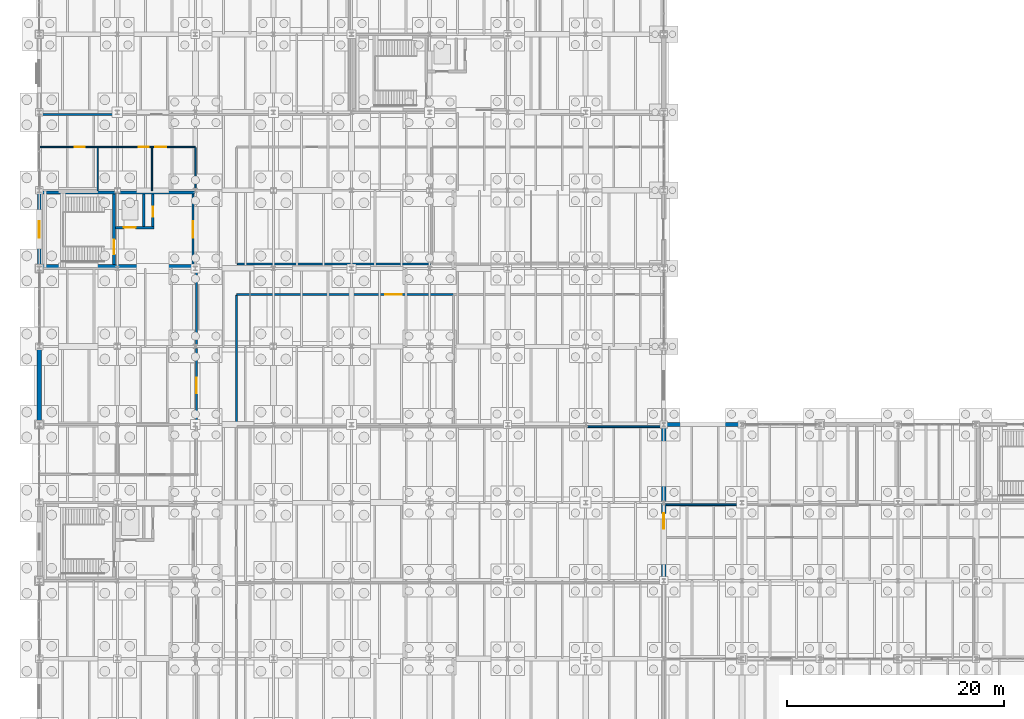
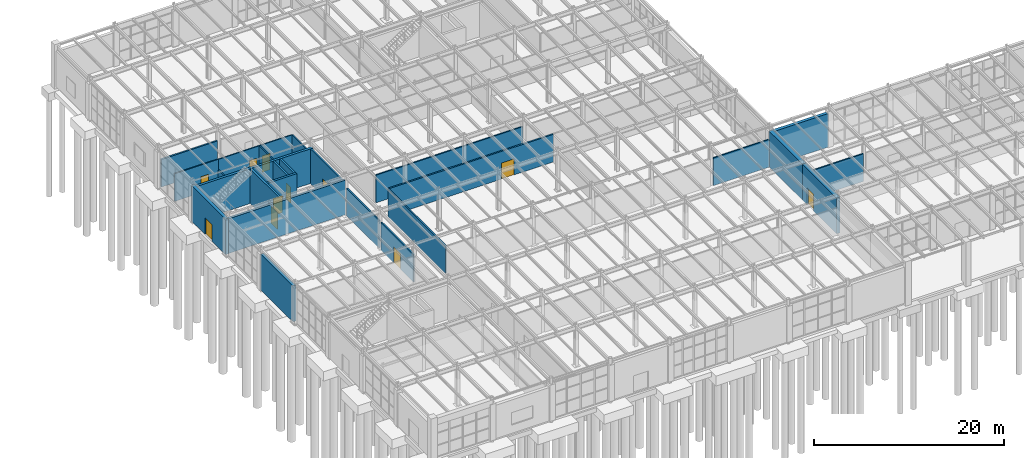
# One storey, part 263 of 293: 26 walls, 11 doors, 11 openings.
"""IFC4 building model written with IfcOpenShell, lengths in metres."""

from ifc_helpers import new_model, si_unit, direction, frame, frame_2d, origin, place, context, subcontext, project, spatial, rectangle, extrude, material, layer, layer_set, type_object, element, fill, save


model = new_model("IFC4")

# Units and contexts
model_context = context("Model", 3, precision=1e-05, world=origin(), true_north=direction((0.0, 1.0)))
body_context = subcontext(model_context, "Body", "Model", "MODEL_VIEW")
ifc_project = project(units=[si_unit("LENGTHUNIT", "METRE"), si_unit("AREAUNIT", "SQUARE_METRE"), si_unit("VOLUMEUNIT", "CUBIC_METRE"), si_unit("PLANEANGLEUNIT", "RADIAN"), si_unit("MASSUNIT", "GRAM", prefix="KILO")], contexts=[model_context])

# Site, building, storey
site_placement = place(None, origin())
site = spatial("IfcSite", under=ifc_project, at=site_placement, CompositionType="ELEMENT")
building_placement = place(site_placement, origin())
building = spatial("IfcBuilding", under=site, at=building_placement, Name="Kemerveld Promenade Tramway Depot", CompositionType="ELEMENT")
storey_placement = place(building_placement, origin())
storey = spatial("IfcBuildingStorey", under=building, at=storey_placement, Name="L00", CompositionType="ELEMENT", Elevation=0.0)

# Wall, opening, door
ifc_material_1 = material(Name="Concrete C40/50", Category="concrete")
ifc_layer_1 = layer(ifc_material_1, 0.25)
ifc_layer_set_1 = layer_set([ifc_layer_1], Name="WL-CORE-250")
wall_type_1 = type_object("IfcWallType", Name="WL-CORE-250", PredefinedType="SHEAR", material=ifc_layer_set_1)
wall_1_placement = place(storey_placement, frame((6.89990234375, 43.550048828125, 0.0), z_axis=(0.0, 0.0, 1.0), x_axis=(0.0, 1.0, 0.0)))
wall_1 = element("IfcWall", 1, at=wall_1_placement, inside=storey, type_object=wall_type_1, Name="WL-C2-L00-SDIV", PredefinedType="SHEAR", context=body_context, shape_type="SweptSolid", body=[
    extrude(rectangle(XDim=6.5, YDim=0.25, at=frame_2d((3.25, 0.0))), origin(), (0.0, 0.0, 1.0), 4.449951171875),
])
opening_1_placement = place(wall_1_placement, frame((0.949951171875, 0.0, 0.0)))
opening_1 = element("IfcOpeningElement", 2, at=opening_1_placement, cuts=wall_1, Name="Opening D-521", PredefinedType="OPENING", context=body_context, shape_type="SweptSolid", body=[
    extrude(rectangle(XDim=1.35009765625, YDim=2.14990234375, at=frame_2d((0.675048828125, 1.074951171875))), frame((0.0, 0.135009765625, 0.0), z_axis=(0.0, -1.0, 0.0), x_axis=(1.0, 0.0, 0.0)), (0.0, 0.0, 1.0), 0.27001953125),
])
ifc_material_2 = material(Name="Galvanised steel fire stair door", Category="steel")
door_type_1 = type_object("IfcDoorType", Name="DR-FD120", OperationType="NOTDEFINED", PredefinedType="DOOR", material=ifc_material_2)
door_1_placement = place(opening_1_placement, origin())
door_1 = element("IfcDoor", 3, at=door_1_placement, inside=storey, type_object=door_type_1, Name="DR-C2-L00-STAIR", OperationType="SINGLE_SWING_LEFT", OverallHeight=2.14990234375, OverallWidth=1.35009765625, PredefinedType="DOOR", context=body_context, shape_type="SweptSolid", body=[
    extrude(rectangle(XDim=1.35009765625, YDim=2.14990234375, at=frame_2d((0.675048828125, 1.074951171875))), frame((0.0, 0.02490234375, 0.0), z_axis=(0.0, -1.0, 0.0), x_axis=(1.0, 0.0, 0.0)), (0.0, 0.0, 1.0), 0.050048828125),
])
fill(opening_1, door_1)

wall_2_placement = place(storey_placement, frame((7.02490234375, 46.9599609375, 0.0), z_axis=(0.0, 0.0, 1.0), x_axis=(1.0, 0.0, 0.0)))
wall_2 = element("IfcWall", 4, at=wall_2_placement, inside=storey, type_object=wall_type_1, Name="WL-C2-L00-LSHS", PredefinedType="SHEAR", context=body_context, shape_type="SweptSolid", body=[
    extrude(rectangle(XDim=3.580078125, YDim=0.25, at=frame_2d((1.7900390625, 0.0))), origin(), (0.0, 0.0, 1.0), 4.449951171875),
])
opening_2_placement = place(wall_2_placement, frame((0.77490234375, 0.0, 0.0)))
opening_2 = element("IfcOpeningElement", 5, at=opening_2_placement, cuts=wall_2, Name="Opening LD-522", PredefinedType="OPENING", context=body_context, shape_type="SweptSolid", body=[
    extrude(rectangle(XDim=1.10009765625, YDim=2.14990234375, at=frame_2d((0.550048828125, 1.074951171875))), frame((0.0, 0.135009765625, 0.0), z_axis=(0.0, -1.0, 0.0), x_axis=(1.0, 0.0, 0.0)), (0.0, 0.0, 1.0), 0.27001953125),
])
ifc_material_3 = material(Name="Brushed stainless steel sliding lift landing door", Category="steel")
door_type_2 = type_object("IfcDoorType", Name="DR-LD01", OperationType="SLIDING_TO_LEFT", PredefinedType="DOOR", material=ifc_material_3)
door_2_placement = place(opening_2_placement, origin())
door_2 = element("IfcDoor", 6, at=door_2_placement, inside=storey, type_object=door_type_2, Name="DR-C2-L00-LIFT", OperationType="SLIDING_TO_LEFT", OverallHeight=2.14990234375, OverallWidth=1.10009765625, PredefinedType="DOOR", context=body_context, shape_type="SweptSolid", body=[
    extrude(rectangle(XDim=1.10009765625, YDim=2.14990234375, at=frame_2d((0.550048828125, 1.074951171875))), frame((0.0, 0.02490234375, 0.0), z_axis=(0.0, -1.0, 0.0), x_axis=(1.0, 0.0, 0.0)), (0.0, 0.0, 1.0), 0.050048828125),
])
fill(opening_2, door_2)

# Wall
wall_3_placement = place(storey_placement, frame((9.64990234375, 47.0849609375, 0.0), z_axis=(0.0, 0.0, 1.0), x_axis=(0.0, 1.0, 0.0)))
element("IfcWall", 7, at=wall_3_placement, inside=storey, type_object=wall_type_1, Name="WL-C2-L00-LSHM", PredefinedType="SHEAR", context=body_context, shape_type="SweptSolid", body=[
    extrude(rectangle(XDim=2.965087890625, YDim=0.25, at=frame_2d((1.482421875, 0.0))), origin(), (0.0, 0.0, 1.0), 4.449951171875),
])

# Wall, opening, door
wall_4_placement = place(storey_placement, frame((10.47998046875, 47.0849609375, 0.0), z_axis=(0.0, 0.0, 1.0), x_axis=(0.0, 1.0, 0.0)))
wall_4 = element("IfcWall", 8, at=wall_4_placement, inside=storey, type_object=wall_type_1, Name="WL-C2-L00-LSHE", PredefinedType="SHEAR", context=body_context, shape_type="SweptSolid", body=[
    extrude(rectangle(XDim=2.965087890625, YDim=0.25, at=frame_2d((1.482421875, 0.0))), origin(), (0.0, 0.0, 1.0), 4.449951171875),
])
opening_3_placement = place(wall_4_placement, frame((0.89990234375, 0.0, 0.0)))
opening_3 = element("IfcOpeningElement", 9, at=opening_3_placement, cuts=wall_4, Name="Opening D-523", PredefinedType="OPENING", context=body_context, shape_type="SweptSolid", body=[
    extrude(rectangle(XDim=0.919921875, YDim=2.050048828125, at=frame_2d((0.4599609375, 1.02490234375))), frame((0.0, 0.135009765625, 0.0), z_axis=(0.0, -1.0, 0.0), x_axis=(1.0, 0.0, 0.0)), (0.0, 0.0, 1.0), 0.27001953125),
])
ifc_material_4 = material(Name="Steel riser shaft access fire door", Category="steel")
door_type_3 = type_object("IfcDoorType", Name="DR-RSR01", OperationType="NOTDEFINED", PredefinedType="DOOR", material=ifc_material_4)
door_3_placement = place(opening_3_placement, origin())
door_3 = element("IfcDoor", 10, at=door_3_placement, inside=storey, type_object=door_type_3, Name="DR-C2-L00-RISER", OperationType="SINGLE_SWING_RIGHT", OverallHeight=2.050048828125, OverallWidth=0.919921875, PredefinedType="DOOR", context=body_context, shape_type="SweptSolid", body=[
    extrude(rectangle(XDim=0.919921875, YDim=2.050048828125, at=frame_2d((0.4599609375, 1.02490234375))), frame((0.0, 0.02490234375, 0.0), z_axis=(0.0, -1.0, 0.0), x_axis=(1.0, 0.0, 0.0)), (0.0, 0.0, 1.0), 0.050048828125),
])
fill(opening_3, door_3)

# Walls
ifc_layer_2 = layer(ifc_material_1, 0.300048828125)
ifc_layer_set_2 = layer_set([ifc_layer_2], Name="WL-CORE-300")
wall_type_2 = type_object("IfcWallType", Name="WL-CORE-300", PredefinedType="SHEAR", material=ifc_layer_set_2)
for number, where, z_axis, x_axis, name in (
    (11, (0.169921875, 43.39990234375, 0.0), (0.0, 0.0, 1.0), (1.0, 0.0, 0.0), "WL-C2-L00-S"),
    (12, (0.169921875, 50.199951171875, 0.0), (0.0, 0.0, 1.0), (1.0, 0.0, 0.0), "WL-C2-L00-N"),
):
    element("IfcWall", number, at=place(storey_placement, frame(where, z_axis=z_axis, x_axis=x_axis)), inside=storey, type_object=wall_type_2, Name=name, PredefinedType="SHEAR", context=body_context, shape_type="SweptSolid", body=[
        extrude(rectangle(XDim=14.22998046875, YDim=0.300048828125, at=frame_2d((7.114990234375, 0.0))), origin(), (0.0, 0.0, 1.0), 4.449951171875),
    ])
ifc_material_5 = material(Name="Harare granite ashlar and clay brick cavity masonry", Category="masonry")
ifc_layer_3 = layer(ifc_material_5, 0.3798828125)
ifc_layer_set_3 = layer_set([ifc_layer_3], Name="WL-EXT-380")
wall_type_3 = type_object("IfcWallType", Name="WL-EXT-380", PredefinedType="SOLIDWALL", material=ifc_layer_set_3)
wall_5_placement = place(storey_placement, frame((0.0, 29.00634765625, 0.0), z_axis=(0.0, 0.0, 1.0), x_axis=(0.0, 1.0, 0.0)))
element("IfcWall", 13, at=wall_5_placement, inside=storey, type_object=wall_type_3, Name="WL-L00-V5W-05", PredefinedType="SOLIDWALL", context=body_context, shape_type="SweptSolid", body=[
    extrude(rectangle(XDim=6.787353515625, YDim=0.3798828125, at=frame_2d((3.3935546875, 0.0))), origin(), (0.0, 0.0, 1.0), 4.593505859375),
])
wall_6_placement = place(storey_placement, frame((57.79638671875, 28.800048828125, 0.0), z_axis=(0.0, 0.0, 1.0), x_axis=(1.0, 0.0, 0.0)))
element("IfcWall", 14, at=wall_6_placement, inside=storey, type_object=wall_type_3, Name="WL-L00-V4N-01", PredefinedType="SOLIDWALL", context=body_context, shape_type="SweptSolid", body=[
    extrude(rectangle(XDim=6.807373046875, YDim=0.3798828125, at=frame_2d((3.40380859375, 0.0))), origin(), (0.0, 0.0, 1.0), 4.30419921875),
])

# Wall, opening, door
ifc_layer_4 = layer(ifc_material_1, 0.360107421875)
ifc_layer_set_4 = layer_set([ifc_layer_4], Name="WL-EXT-CORE")
wall_type_4 = type_object("IfcWallType", Name="WL-EXT-CORE", PredefinedType="SHEAR", material=ifc_layer_set_4)
wall_7_placement = place(storey_placement, frame((0.0, 43.199951171875, 0.0), z_axis=(0.0, 0.0, 1.0), x_axis=(0.0, 1.0, 0.0)))
wall_7 = element("IfcWall", 15, at=wall_7_placement, inside=storey, type_object=wall_type_4, Name="WL-L00-V5W-07", PredefinedType="SHEAR", context=body_context, shape_type="SweptSolid", body=[
    extrude(rectangle(XDim=7.199951171875, YDim=0.360107421875, at=frame_2d((3.60009765625, 0.0))), origin(), (0.0, 0.0, 1.0), 4.593505859375),
])
opening_4_placement = place(wall_7_placement, frame((2.85009765625, 0.0, 0.0)))
opening_4 = element("IfcOpeningElement", 16, at=opening_4_placement, cuts=wall_7, Name="Opening D-124", PredefinedType="OPENING", context=body_context, shape_type="SweptSolid", body=[
    extrude(rectangle(XDim=1.5, YDim=2.14990234375, at=frame_2d((0.75, 1.074951171875))), frame((0.0, 0.18994140625, 0.0), z_axis=(0.0, -1.0, 0.0), x_axis=(1.0, 0.0, 0.0)), (0.0, 0.0, 1.0), 0.380126953125),
])
ifc_material_6 = material(Name="Galvanised painted steel fire-exit door", Category="steel")
door_type_4 = type_object("IfcDoorType", Name="DR-EX04", OperationType="NOTDEFINED", PredefinedType="DOOR", material=ifc_material_6)
door_4_placement = place(opening_4_placement, origin())
door_4 = element("IfcDoor", 17, at=door_4_placement, inside=storey, type_object=door_type_4, Name="EX-02", OperationType="SINGLE_SWING_RIGHT", OverallHeight=2.14990234375, OverallWidth=1.5, PredefinedType="DOOR", context=body_context, shape_type="SweptSolid", body=[
    extrude(rectangle(XDim=1.5, YDim=2.14990234375, at=frame_2d((0.75, 1.074951171875))), frame((0.0, 0.02490234375, 0.0), z_axis=(0.0, -1.0, 0.0), x_axis=(1.0, 0.0, 0.0)), (0.0, 0.0, 1.0), 0.050048828125),
])
fill(opening_4, door_4)

ifc_layer_5 = layer(ifc_material_1, 0.449951171875)
ifc_layer_set_5 = layer_set([ifc_layer_5], Name="WL-FIRE-450")
wall_type_5 = type_object("IfcWallType", Name="WL-FIRE-450", PredefinedType="SOLIDWALL", material=ifc_layer_set_5)
wall_8_placement = place(storey_placement, frame((57.60009765625, 14.39990234375, 0.0), z_axis=(0.0, 0.0, 1.0), x_axis=(0.0, 1.0, 0.0)))
wall_8 = element("IfcWall", 18, at=wall_8_placement, inside=storey, type_object=wall_type_5, Name="WL-FIRE-L00-F54-3", PredefinedType="SOLIDWALL", context=body_context, shape_type="SweptSolid", body=[
    extrude(rectangle(XDim=7.2001953125, YDim=0.449951171875, at=frame_2d((3.60009765625, 0.0))), origin(), (0.0, 0.0, 1.0), 4.593505859375),
])
opening_5_placement = place(wall_8_placement, frame((4.800048828125, 0.0, 0.0)))
opening_5 = element("IfcOpeningElement", 19, at=opening_5_placement, cuts=wall_8, Name="Opening D-585", PredefinedType="OPENING", context=body_context, shape_type="SweptSolid", body=[
    extrude(rectangle(XDim=1.39990234375, YDim=2.14990234375, at=frame_2d((0.699951171875, 1.074951171875))), frame((0.0, 0.23486328125, 0.0), z_axis=(0.0, -1.0, 0.0), x_axis=(1.0, 0.0, 0.0)), (0.0, 0.0, 1.0), 0.469970703125),
])
ifc_material_7 = material(Name="Timber-faced fire corridor door", Category="wood")
door_type_5 = type_object("IfcDoorType", Name="DR-FD60B", OperationType="NOTDEFINED", PredefinedType="DOOR", material=ifc_material_7)
door_5_placement = place(opening_5_placement, origin())
door_5 = element("IfcDoor", 20, at=door_5_placement, inside=storey, type_object=door_type_5, Name="DR-LINK-L00-F54", OperationType="SINGLE_SWING_LEFT", OverallHeight=2.14990234375, OverallWidth=1.39990234375, PredefinedType="DOOR", context=body_context, shape_type="SweptSolid", body=[
    extrude(rectangle(XDim=1.39990234375, YDim=2.14990234375, at=frame_2d((0.699951171875, 1.074951171875))), frame((0.0, 0.02490234375, 0.0), z_axis=(0.0, -1.0, 0.0), x_axis=(1.0, 0.0, 0.0)), (0.0, 0.0, 1.0), 0.050048828125),
])
fill(opening_5, door_5)

# Wall
wall_9_placement = place(storey_placement, frame((57.60009765625, 21.60009765625, 0.0), z_axis=(0.0, 0.0, 1.0), x_axis=(0.0, 1.0, 0.0)))
element("IfcWall", 21, at=wall_9_placement, inside=storey, type_object=wall_type_5, Name="WL-FIRE-L00-F54-4", PredefinedType="SOLIDWALL", context=body_context, shape_type="SweptSolid", body=[
    extrude(rectangle(XDim=7.040771484375, YDim=0.449951171875, at=frame_2d((3.5205078125, 0.0))), origin(), (0.0, 0.0, 1.0), 4.593505859375),
])

# Wall, opening, door
ifc_material_8 = material(Name="Concrete blockwork C35/45", Category="masonry")
ifc_layer_6 = layer(ifc_material_8, 0.199951171875)
ifc_layer_set_6 = layer_set([ifc_layer_6], Name="WL-LOB-200")
wall_type_6 = type_object("IfcWallType", Name="WL-LOB-200", PredefinedType="SOLIDWALL", material=ifc_layer_set_6)
wall_10_placement = place(storey_placement, frame((14.179931640625, 43.550048828125, 0.0), z_axis=(0.0, 0.0, 1.0), x_axis=(0.0, 1.0, 0.0)))
wall_10 = element("IfcWall", 22, at=wall_10_placement, inside=storey, type_object=wall_type_6, Name="WL-C2-L00-LOB", PredefinedType="SOLIDWALL", context=body_context, shape_type="SweptSolid", body=[
    extrude(rectangle(XDim=6.5, YDim=0.199951171875, at=frame_2d((3.25, 0.0))), origin(), (0.0, 0.0, 1.0), 4.449951171875),
])
opening_6_placement = place(wall_10_placement, frame((2.5, 0.0, 0.0)))
opening_6 = element("IfcOpeningElement", 23, at=opening_6_placement, cuts=wall_10, Name="Opening D-524", PredefinedType="OPENING", context=body_context, shape_type="SweptSolid", body=[
    extrude(rectangle(XDim=1.5, YDim=2.14990234375, at=frame_2d((0.75, 1.074951171875))), frame((0.0, 0.10986328125, 0.0), z_axis=(0.0, -1.0, 0.0), x_axis=(1.0, 0.0, 0.0)), (0.0, 0.0, 1.0), 0.219970703125),
])
ifc_material_9 = material(Name="Timber-faced acoustic fire lobby door", Category="wood")
door_type_6 = type_object("IfcDoorType", Name="DR-FD60A", OperationType="NOTDEFINED", PredefinedType="DOOR", material=ifc_material_9)
door_6_placement = place(opening_6_placement, origin())
door_6 = element("IfcDoor", 24, at=door_6_placement, inside=storey, type_object=door_type_6, Name="DR-C2-L00-LOBBY", OperationType="SINGLE_SWING_LEFT", OverallHeight=2.14990234375, OverallWidth=1.5, PredefinedType="DOOR", context=body_context, shape_type="SweptSolid", body=[
    extrude(rectangle(XDim=1.5, YDim=2.14990234375, at=frame_2d((0.75, 1.074951171875))), frame((0.0, 0.02490234375, 0.0), z_axis=(0.0, -1.0, 0.0), x_axis=(1.0, 0.0, 0.0)), (0.0, 0.0, 1.0), 0.050048828125),
])
fill(opening_6, door_6)

ifc_material_10 = material(Name="Moisture-resistant masonry partition", Category="masonry")
ifc_layer_7 = layer(ifc_material_10, 0.1298828125)
ifc_layer_set_7 = layer_set([ifc_layer_7], Name="WL-PRT-130")
wall_type_7 = type_object("IfcWallType", Name="WL-PRT-130", PredefinedType="PARTITIONING", material=ifc_layer_set_7)
wall_11_placement = place(storey_placement, frame((0.080078125, 54.39990234375, 0.0), z_axis=(0.0, 0.0, 1.0), x_axis=(1.0, 0.0, 0.0)))
wall_11 = element("IfcWall", 25, at=wall_11_placement, inside=storey, type_object=wall_type_7, Name="WL-PRT-RM-L00-V5-WCM", PredefinedType="PARTITIONING", context=body_context, shape_type="SweptSolid", body=[
    extrude(rectangle(XDim=5.31982421875, YDim=0.1298828125, at=frame_2d((2.659912109375, 0.0))), origin(), (0.0, 0.0, 1.0), 3.550048828125),
])
opening_7_placement = place(wall_11_placement, frame((3.2099609375, 0.0, 0.0)))
opening_7 = element("IfcOpeningElement", 26, at=opening_7_placement, cuts=wall_11, Name="Opening D-619", PredefinedType="OPENING", context=body_context, shape_type="SweptSolid", body=[
    extrude(rectangle(XDim=0.89990234375, YDim=2.050048828125, at=frame_2d((0.449951171875, 1.02490234375))), frame((0.0, 0.074951171875, 0.0), z_axis=(0.0, -1.0, 0.0), x_axis=(1.0, 0.0, 0.0)), (0.0, 0.0, 1.0), 0.14990234375),
])
ifc_material_11 = material(Name="Moisture-resistant laminate WC door")
door_type_7 = type_object("IfcDoorType", Name="DR-WC01", OperationType="NOTDEFINED", PredefinedType="DOOR", material=ifc_material_11)
door_7_placement = place(opening_7_placement, origin())
door_7 = element("IfcDoor", 27, at=door_7_placement, inside=storey, type_object=door_type_7, Name="DR-RM-RM-L00-V5-WCM", OperationType="SINGLE_SWING_LEFT", OverallHeight=2.050048828125, OverallWidth=0.89990234375, PredefinedType="DOOR", context=body_context, shape_type="SweptSolid", body=[
    extrude(rectangle(XDim=0.89990234375, YDim=2.050048828125, at=frame_2d((0.449951171875, 1.02490234375))), frame((0.0, 0.02490234375, 0.0), z_axis=(0.0, -1.0, 0.0), x_axis=(1.0, 0.0, 0.0)), (0.0, 0.0, 1.0), 0.050048828125),
])
fill(opening_7, door_7)

wall_12_placement = place(storey_placement, frame((5.39990234375, 54.39990234375, 0.0), z_axis=(0.0, 0.0, 1.0), x_axis=(1.0, 0.0, 0.0)))
wall_12 = element("IfcWall", 28, at=wall_12_placement, inside=storey, type_object=wall_type_7, Name="WL-PRT-RM-L00-V5-WCF", PredefinedType="PARTITIONING", context=body_context, shape_type="SweptSolid", body=[
    extrude(rectangle(XDim=5.0, YDim=0.1298828125, at=frame_2d((2.5, 0.0))), origin(), (0.0, 0.0, 1.0), 3.550048828125),
])
opening_8_placement = place(wall_12_placement, frame((3.780029296875, 0.0, 0.0)))
opening_8 = element("IfcOpeningElement", 29, at=opening_8_placement, cuts=wall_12, Name="Opening D-620", PredefinedType="OPENING", context=body_context, shape_type="SweptSolid", body=[
    extrude(rectangle(XDim=0.89990234375, YDim=2.050048828125, at=frame_2d((0.449951171875, 1.02490234375))), frame((0.0, 0.074951171875, 0.0), z_axis=(0.0, -1.0, 0.0), x_axis=(1.0, 0.0, 0.0)), (0.0, 0.0, 1.0), 0.14990234375),
])
door_8_placement = place(opening_8_placement, origin())
door_8 = element("IfcDoor", 30, at=door_8_placement, inside=storey, type_object=door_type_7, Name="DR-RM-RM-L00-V5-WCF", OperationType="SINGLE_SWING_RIGHT", OverallHeight=2.050048828125, OverallWidth=0.89990234375, PredefinedType="DOOR", context=body_context, shape_type="SweptSolid", body=[
    extrude(rectangle(XDim=0.89990234375, YDim=2.050048828125, at=frame_2d((0.449951171875, 1.02490234375))), frame((0.0, 0.02490234375, 0.0), z_axis=(0.0, -1.0, 0.0), x_axis=(1.0, 0.0, 0.0)), (0.0, 0.0, 1.0), 0.050048828125),
])
fill(opening_8, door_8)

wall_13_placement = place(storey_placement, frame((10.39990234375, 54.39990234375, 0.0), z_axis=(0.0, 0.0, 1.0), x_axis=(1.0, 0.0, 0.0)))
wall_13 = element("IfcWall", 31, at=wall_13_placement, inside=storey, type_object=wall_type_7, Name="WL-PRT-RM-L00-V5-WCA", PredefinedType="PARTITIONING", context=body_context, shape_type="SweptSolid", body=[
    extrude(rectangle(XDim=4.0, YDim=0.1298828125, at=frame_2d((2.0, 0.0))), origin(), (0.0, 0.0, 1.0), 3.550048828125),
])
opening_9_placement = place(wall_13_placement, frame((0.320068359375, 0.0, 0.0)))
opening_9 = element("IfcOpeningElement", 32, at=opening_9_placement, cuts=wall_13, Name="Opening D-621", PredefinedType="OPENING", context=body_context, shape_type="SweptSolid", body=[
    extrude(rectangle(XDim=0.97998046875, YDim=2.10009765625, at=frame_2d((0.489990234375, 1.050048828125))), frame((0.0, 0.074951171875, 0.0), z_axis=(0.0, -1.0, 0.0), x_axis=(1.0, 0.0, 0.0)), (0.0, 0.0, 1.0), 0.14990234375),
])
ifc_material_12 = material(Name="Accessible WC outward-opening door")
door_type_8 = type_object("IfcDoorType", Name="DR-WCA1", OperationType="NOTDEFINED", PredefinedType="DOOR", material=ifc_material_12)
door_9_placement = place(opening_9_placement, origin())
door_9 = element("IfcDoor", 33, at=door_9_placement, inside=storey, type_object=door_type_8, Name="DR-RM-RM-L00-V5-WCA", OperationType="SINGLE_SWING_LEFT", OverallHeight=2.10009765625, OverallWidth=0.97998046875, PredefinedType="DOOR", context=body_context, shape_type="SweptSolid", body=[
    extrude(rectangle(XDim=0.97998046875, YDim=2.10009765625, at=frame_2d((0.489990234375, 1.050048828125))), frame((0.0, 0.02490234375, 0.0), z_axis=(0.0, -1.0, 0.0), x_axis=(1.0, 0.0, 0.0)), (0.0, 0.0, 1.0), 0.050048828125),
])
fill(opening_9, door_9)

# Walls
wall_14_placement = place(storey_placement, frame((5.39990234375, 50.35009765625, 0.0), z_axis=(0.0, 0.0, 1.0), x_axis=(0.0, 1.0, 0.0)))
element("IfcWall", 34, at=wall_14_placement, inside=storey, type_object=wall_type_7, Name="WL-DIV-L00-050", PredefinedType="PARTITIONING", context=body_context, shape_type="SweptSolid", body=[
    extrude(rectangle(XDim=3.98486328125, YDim=0.1298828125, at=frame_2d((1.992431640625, 0.0))), origin(), (0.0, 0.0, 1.0), 2.218994140625),
])
wall_15_placement = place(storey_placement, frame((10.39990234375, 50.35009765625, 0.0), z_axis=(0.0, 0.0, 1.0), x_axis=(0.0, 1.0, 0.0)))
element("IfcWall", 35, at=wall_15_placement, inside=storey, type_object=wall_type_7, Name="WL-DIV-L00-051", PredefinedType="PARTITIONING", context=body_context, shape_type="SweptSolid", body=[
    extrude(rectangle(XDim=3.98486328125, YDim=0.1298828125, at=frame_2d((1.992431640625, 0.0))), origin(), (0.0, 0.0, 1.0), 3.550048828125),
])
wall_16_placement = place(storey_placement, frame((14.39990234375, 50.5859375, 0.0), z_axis=(0.0, 0.0, 1.0), x_axis=(0.0, 1.0, 0.0)))
element("IfcWall", 36, at=wall_16_placement, inside=storey, type_object=wall_type_7, Name="WL-DIV-L00-052", PredefinedType="PARTITIONING", context=body_context, shape_type="SweptSolid", body=[
    extrude(rectangle(XDim=3.7490234375, YDim=0.1298828125, at=frame_2d((1.87451171875, 0.0))), origin(), (0.0, 0.0, 1.0), 3.550048828125),
])
ifc_material_13 = material(Name="Acoustic twin-stud gypsum partition")
ifc_layer_8 = layer(ifc_material_13, 0.159912109375)
ifc_layer_set_8 = layer_set([ifc_layer_8], Name="WL-PRT-160")
wall_type_8 = type_object("IfcWallType", Name="WL-PRT-160", PredefinedType="PARTITIONING", material=ifc_layer_set_8)
wall_17_placement = place(storey_placement, frame((57.824951171875, 21.39990234375, 0.0), z_axis=(0.0, 0.0, 1.0), x_axis=(1.0, 0.0, 0.0)))
element("IfcWall", 37, at=wall_17_placement, inside=storey, type_object=wall_type_8, Name="WL-PRT-RM-L00-V4-KIT-S1", PredefinedType="PARTITIONING", context=body_context, shape_type="SweptSolid", body=[
    extrude(rectangle(XDim=6.81396484375, YDim=0.159912109375, at=frame_2d((3.406982421875, 0.0))), origin(), (0.0, 0.0, 1.0), 3.550048828125),
])
wall_18_placement = place(storey_placement, frame((50.587890625, 28.60009765625, 0.0), z_axis=(0.0, 0.0, 1.0), x_axis=(1.0, 0.0, 0.0)))
element("IfcWall", 38, at=wall_18_placement, inside=storey, type_object=wall_type_8, Name="WL-DIV-L00-042", PredefinedType="PARTITIONING", context=body_context, shape_type="SweptSolid", body=[
    extrude(rectangle(XDim=6.787109375, YDim=0.159912109375, at=frame_2d((3.3935546875, 0.0))), origin(), (0.0, 0.0, 1.0), 3.550048828125),
])
wall_19_placement = place(storey_placement, frame((18.199951171875, 28.679931640625, 0.0), z_axis=(0.0, 0.0, 1.0), x_axis=(0.0, 1.0, 0.0)))
element("IfcWall", 39, at=wall_19_placement, inside=storey, type_object=wall_type_8, Name="WL-DIV-L00-043", PredefinedType="PARTITIONING", context=body_context, shape_type="SweptSolid", body=[
    extrude(rectangle(XDim=12.025146484375, YDim=0.159912109375, at=frame_2d((6.0126953125, 0.0))), origin(), (0.0, 0.0, 1.0), 3.550048828125),
])
wall_20_placement = place(storey_placement, frame((18.280029296875, 43.60009765625, 0.0), z_axis=(0.0, 0.0, 1.0), x_axis=(1.0, 0.0, 0.0)))
element("IfcWall", 40, at=wall_20_placement, inside=storey, type_object=wall_type_8, Name="WL-DIV-L00-048", PredefinedType="PARTITIONING", context=body_context, shape_type="SweptSolid", body=[
    extrude(rectangle(XDim=17.840087890625, YDim=0.159912109375, at=frame_2d((8.919921875, 0.0))), origin(), (0.0, 0.0, 1.0), 3.550048828125),
])

# Wall, opening, door
ifc_material_14 = material(Name="Workshop acoustic block partition")
ifc_layer_9 = layer(ifc_material_14, 0.175048828125)
ifc_layer_set_9 = layer_set([ifc_layer_9], Name="WL-PRT-175")
wall_type_9 = type_object("IfcWallType", Name="WL-PRT-175", PredefinedType="PARTITIONING", material=ifc_layer_set_9)
wall_21_placement = place(storey_placement, frame((14.5, 28.986083984375, 0.0), z_axis=(0.0, 0.0, 1.0), x_axis=(0.0, 1.0, 0.0)))
wall_21 = element("IfcWall", 41, at=wall_21_placement, inside=storey, type_object=wall_type_9, Name="WL-PRT-RM-L00-V5-CLIN", PredefinedType="PARTITIONING", context=body_context, shape_type="SweptSolid", body=[
    extrude(rectangle(XDim=6.827880859375, YDim=0.175048828125, at=frame_2d((3.4140625, 0.0))), origin(), (0.0, 0.0, 1.0), 3.550048828125),
])
opening_10_placement = place(wall_21_placement, frame((2.69091796875, 0.0, 0.0)))
opening_10 = element("IfcOpeningElement", 42, at=opening_10_placement, cuts=wall_21, Name="Opening D-614", PredefinedType="OPENING", context=body_context, shape_type="SweptSolid", body=[
    extrude(rectangle(XDim=1.4599609375, YDim=2.0400390625, at=frame_2d((0.72998046875, 1.02001953125))), frame((0.0, 0.097412109375, 0.0), z_axis=(0.0, -1.0, 0.0), x_axis=(1.0, 0.0, 0.0)), (0.0, 0.0, 1.0), 0.195068359375),
])
ifc_material_15 = material(Name="Hardwood interior room door", Category="wood")
door_type_9 = type_object("IfcDoorType", Name="DR-INT30", OperationType="NOTDEFINED", PredefinedType="DOOR", material=ifc_material_15)
door_10_placement = place(opening_10_placement, origin())
door_10 = element("IfcDoor", 43, at=door_10_placement, inside=storey, type_object=door_type_9, Name="DR-RM-RM-L00-V5-CLIN", OperationType="SINGLE_SWING_RIGHT", OverallHeight=2.0400390625, OverallWidth=1.4599609375, PredefinedType="DOOR", context=body_context, shape_type="SweptSolid", body=[
    extrude(rectangle(XDim=1.4599609375, YDim=2.0400390625, at=frame_2d((0.72998046875, 1.02001953125))), frame((0.0, 0.02490234375, 0.0), z_axis=(0.0, -1.0, 0.0), x_axis=(1.0, 0.0, 0.0)), (0.0, 0.0, 1.0), 0.050048828125),
])
fill(opening_10, door_10)

# Wall
wall_22_placement = place(storey_placement, frame((14.5, 36.18603515625, 0.0), z_axis=(0.0, 0.0, 1.0), x_axis=(0.0, 1.0, 0.0)))
element("IfcWall", 44, at=wall_22_placement, inside=storey, type_object=wall_type_9, Name="WL-PRT-RM-L00-V5-CLIN-S2", PredefinedType="PARTITIONING", context=body_context, shape_type="SweptSolid", body=[
    extrude(rectangle(XDim=6.827880859375, YDim=0.175048828125, at=frame_2d((3.4140625, 0.0))), origin(), (0.0, 0.0, 1.0), 3.550048828125),
])

# Wall, opening, door
ifc_material_16 = material(Name="Plant and substation fire partition")
ifc_layer_10 = layer(ifc_material_16, 0.18994140625)
ifc_layer_set_10 = layer_set([ifc_layer_10], Name="WL-PRT-190")
wall_type_10 = type_object("IfcWallType", Name="WL-PRT-190", PredefinedType="PARTITIONING", material=ifc_layer_set_10)
wall_23_placement = place(storey_placement, frame((18.199951171875, 40.800048828125, 0.0), z_axis=(0.0, 0.0, 1.0), x_axis=(1.0, 0.0, 0.0)))
wall_23 = element("IfcWall", 45, at=wall_23_placement, inside=storey, type_object=wall_type_10, Name="WL-PRT-RM-L00-V5-LCKM", PredefinedType="PARTITIONING", context=body_context, shape_type="SweptSolid", body=[
    extrude(rectangle(XDim=20.0, YDim=0.18994140625, at=frame_2d((10.0, 0.0))), origin(), (0.0, 0.0, 1.0), 3.550048828125),
])
opening_11_placement = place(wall_23_placement, frame((13.699951171875, 0.0, 0.0)))
opening_11 = element("IfcOpeningElement", 46, at=opening_11_placement, cuts=wall_23, Name="Opening D-615", PredefinedType="OPENING", context=body_context, shape_type="SweptSolid", body=[
    extrude(rectangle(XDim=1.52001953125, YDim=2.06005859375, at=frame_2d((0.760009765625, 1.030029296875))), frame((0.0, 0.10498046875, 0.0), z_axis=(0.0, -1.0, 0.0), x_axis=(1.0, 0.0, 0.0)), (0.0, 0.0, 1.0), 0.2099609375),
])
door_type_10 = type_object("IfcDoorType", Name="DR-INT31", OperationType="NOTDEFINED", PredefinedType="DOOR", material=ifc_material_15)
door_11_placement = place(opening_11_placement, origin())
door_11 = element("IfcDoor", 47, at=door_11_placement, inside=storey, type_object=door_type_10, Name="DR-RM-RM-L00-V5-LCKM", OperationType="SINGLE_SWING_LEFT", OverallHeight=2.06005859375, OverallWidth=1.52001953125, PredefinedType="DOOR", context=body_context, shape_type="SweptSolid", body=[
    extrude(rectangle(XDim=1.52001953125, YDim=2.06005859375, at=frame_2d((0.760009765625, 1.030029296875))), frame((0.0, 0.02490234375, 0.0), z_axis=(0.0, -1.0, 0.0), x_axis=(1.0, 0.0, 0.0)), (0.0, 0.0, 1.0), 0.050048828125),
])
fill(opening_11, door_11)

# Wall
wall_24_placement = place(storey_placement, frame((0.18994140625, 57.39990234375, 0.0), z_axis=(0.0, 0.0, 1.0), x_axis=(1.0, 0.0, 0.0)))
element("IfcWall", 48, at=wall_24_placement, inside=storey, type_object=wall_type_10, Name="WL-PRT-RM-L00-V5-UNIF-S1", PredefinedType="PARTITIONING", context=body_context, shape_type="SweptSolid", body=[
    extrude(rectangle(XDim=6.822021484375, YDim=0.18994140625, at=frame_2d((3.4111328125, 0.0))), origin(), (0.0, 0.0, 1.0), 3.550048828125),
])

save(model, "model.ifc")
